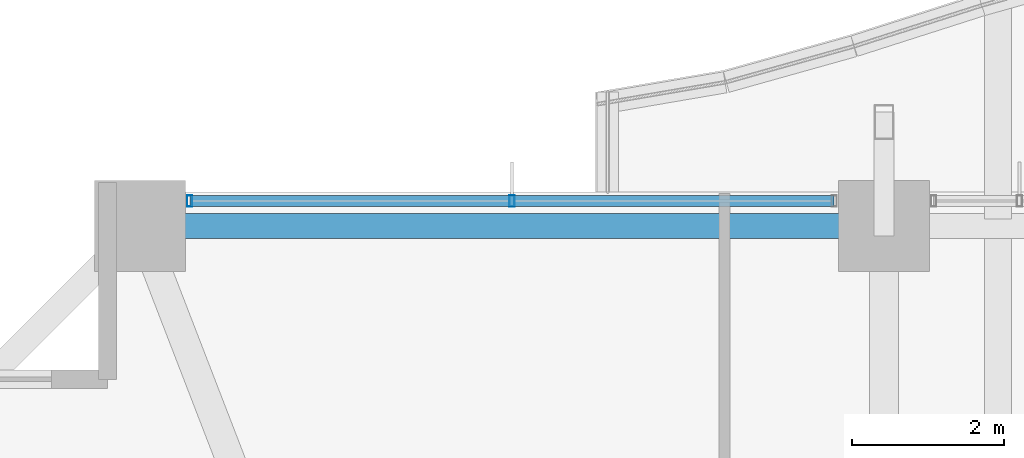
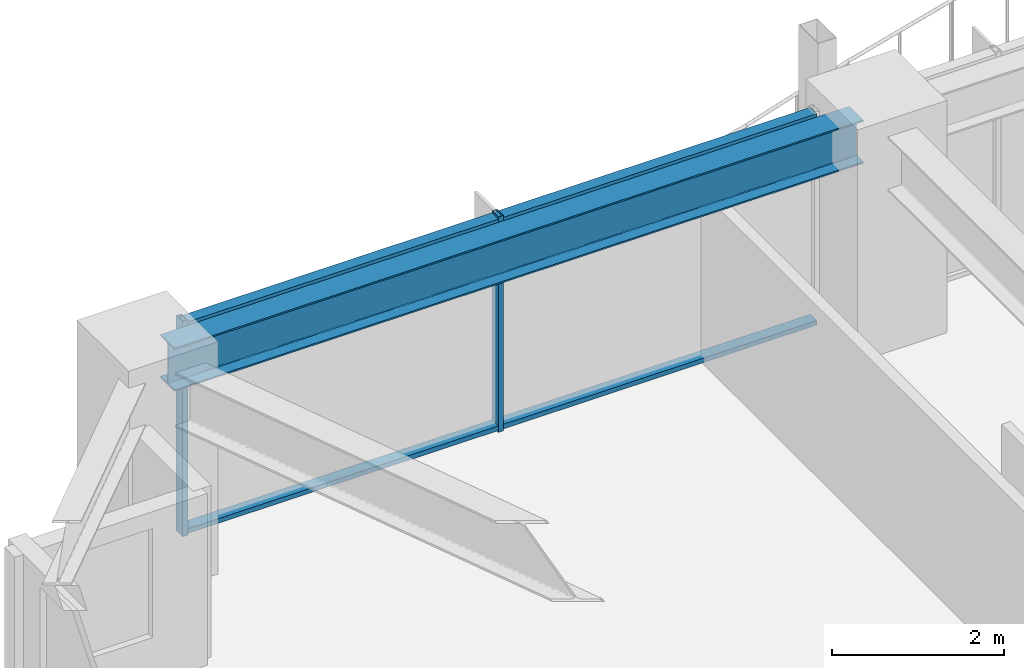
# One storey, part 18 of 38: 4 members, 1 beam, 1 element without a shape of its own.
"""IFC4 building model written with IfcOpenShell, lengths in metres."""

import ifcopenshell
import ifcopenshell.guid

model = None  # the IFC model being written
_history = None  # IfcOwnerHistory: only IFC2X3 demands one
_inside = {}  # id of a spatial element -> (the spatial element, [elements in it])
_under = {}  # id of a project, library or spatial element -> (it, [spatial elements below it])
_declared = {}  # id of a project -> (the project, [libraries it declares])
_typed = {}  # id of a type object -> (the type object, [elements of that type])
_made_of = {}  # id of a material, layer set ... -> (it, [elements and type objects made of it])


def new_model(schema):
    """Start an empty IFC model of exactly this schema.

    Asked for "IFC4X3", IfcOpenShell would pick the latest addendum, in which some entities
    have other attributes; the version numbers below select the first issue.
    IFC2X3 requires an IfcOwnerHistory on every rooted entity: one is made here for all.
    """
    global model, _history
    if schema == "IFC4X3":
        model = ifcopenshell.file(schema_version=(4, 3, 0, 0))
    else:
        model = ifcopenshell.file(schema=schema)
    _inside.clear()
    _under.clear()
    _declared.clear()
    _typed.clear()
    _made_of.clear()
    _history = None
    if model.schema == "IFC2X3":
        org = make("IfcOrganization", Name="unknown")
        user = make(
            "IfcPersonAndOrganization",
            ThePerson=make("IfcPerson", FamilyName="unknown"),
            TheOrganization=org,
        )
        app = make(
            "IfcApplication",
            ApplicationDeveloper=org,
            Version="unknown",
            ApplicationFullName="unknown",
            ApplicationIdentifier="unknown",
        )
        _history = make(
            "IfcOwnerHistory",
            OwningUser=user,
            OwningApplication=app,
            ChangeAction="ADDED",
            CreationDate=0,
        )
    return model


def make(cls, **values):
    """One entity of the class cls with the attributes given. An attribute that is None is left unset."""
    return model.create_entity(
        cls, **{name: value for name, value in values.items() if value is not None}
    )


def rooted(cls, **values):
    """An entity with a GlobalId (a new one), such as an element, a storey or a relation."""
    return make(cls, GlobalId=ifcopenshell.guid.new(), OwnerHistory=_history, **values)


def si_unit(unit_type, name, prefix=None):
    """IfcSIUnit, for example si_unit("LENGTHUNIT", "METRE", prefix="MILLI")."""
    return make("IfcSIUnit", UnitType=unit_type, Prefix=prefix, Name=name)


def assignment(units):
    """IfcUnitAssignment: the units of a project."""
    return None if units is None else make("IfcUnitAssignment", Units=units)


def point(xyz):
    """IfcCartesianPoint."""
    return None if xyz is None else make("IfcCartesianPoint", Coordinates=xyz)


def direction(xyz):
    """IfcDirection."""
    return None if xyz is None else make("IfcDirection", DirectionRatios=xyz)


def frame(location, z_axis=None, x_axis=None):
    """IfcAxis2Placement3D, a coordinate frame: its origin and axes. An axis left out is left unset."""
    return make(
        "IfcAxis2Placement3D",
        Location=point(location),
        Axis=direction(z_axis),
        RefDirection=direction(x_axis),
    )


def frame_2d(location, x_axis=None):
    """IfcAxis2Placement2D, a coordinate frame in the plane: its origin and x axis."""
    return make(
        "IfcAxis2Placement2D", Location=point(location), RefDirection=direction(x_axis)
    )


def origin():
    """The frame at (0, 0, 0) with its axes left unset."""
    return frame((0.0, 0.0, 0.0))


def origin_2d():
    """The frame at (0, 0) in the plane with its x axis left unset."""
    return frame_2d((0.0, 0.0))


def place(relative_to, where):
    """IfcLocalPlacement: puts the frame where relative to a parent placement (None: the world)."""
    return make(
        "IfcLocalPlacement", PlacementRelTo=relative_to, RelativePlacement=where
    )


def context(
    kind, dimensions, precision=None, world=None, true_north=None, identifier=None
):
    """IfcGeometricRepresentationContext, for example the 3D "Model" context."""
    return make(
        "IfcGeometricRepresentationContext",
        ContextIdentifier=identifier,
        ContextType=kind,
        CoordinateSpaceDimension=dimensions,
        Precision=precision,
        WorldCoordinateSystem=world,
        TrueNorth=true_north,
    )


def subcontext(parent, identifier, kind, view, scale=None):
    """IfcGeometricRepresentationSubContext, for example "Body" below "Model"."""
    return make(
        "IfcGeometricRepresentationSubContext",
        ContextIdentifier=identifier,
        ContextType=kind,
        ParentContext=parent,
        TargetScale=scale,
        TargetView=view,
    )


def project(units=None, contexts=None):
    """IfcProject with its units and contexts."""
    return rooted(
        "IfcProject",
        Name="project",
        RepresentationContexts=contexts,
        UnitsInContext=assignment(units),
    )


def spatial(cls, under=None, at=None, **own):
    """A site, building, storey or space (cls), placed at a placement, below another one or the project."""
    s = rooted(cls, ObjectPlacement=at, **own)
    if under is not None:
        _under.setdefault(under.id(), (under, []))[1].append(s)
    return s


def profile(cls, at=None, kind="AREA", **sizes):
    """A parametric profile (cls). Its sizes go by their IFC names, for example OverallWidth=200.0."""
    return make(cls, ProfileType=kind, Position=at, **sizes)


def hollow_rectangle(**sizes):
    """IfcRectangleHollowProfileDef."""
    return profile("IfcRectangleHollowProfileDef", **sizes)


def i_section(**sizes):
    """IfcIShapeProfileDef."""
    return profile("IfcIShapeProfileDef", **sizes)


def extrude(swept, where, along, depth):
    """IfcExtrudedAreaSolid: the profile swept, set in the frame where, extruded along a direction by depth."""
    return make(
        "IfcExtrudedAreaSolid",
        SweptArea=swept,
        Position=where,
        ExtrudedDirection=direction(along),
        Depth=depth,
    )


def shape(context_of_items, identifier, shape_type, items):
    """IfcShapeRepresentation: the items that make up one representation, for example the "Body"."""
    return make(
        "IfcShapeRepresentation",
        ContextOfItems=context_of_items,
        RepresentationIdentifier=identifier,
        RepresentationType=shape_type,
        Items=items,
    )


def material(Name=None, Category=None):
    """IfcMaterial."""
    return make("IfcMaterial", Name=Name, Category=Category)


def material_profile(
    of_material, cross_section, Name=None, Category=None, Priority=None
):
    """IfcMaterialProfile: a cross section and its material."""
    return make(
        "IfcMaterialProfile",
        Name=Name,
        Material=of_material,
        Profile=cross_section,
        Priority=Priority,
        Category=Category,
    )


def profile_set(profiles, Name=None, composite=None):
    """IfcMaterialProfileSet."""
    return make(
        "IfcMaterialProfileSet",
        Name=Name,
        MaterialProfiles=profiles,
        CompositeProfile=composite,
    )


def made_of(thing, what):
    """Note that an element or type object is made of a material, layer set ...; save() writes the relation."""
    if what is not None:
        _made_of.setdefault(what.id(), (what, []))[1].append(thing)
    return thing


def type_object(cls, material=None, **own):
    """A type object (cls), such as IfcWallType, which elements share."""
    return made_of(rooted(cls, **own), material)


def element(
    cls,
    number,
    at=None,
    inside=None,
    cuts=None,
    type_object=None,
    material=None,
    context=None,
    identifier="Body",
    shape_type=None,
    held_by="IfcProductDefinitionShape",
    body=None,
    shapes=None,
    **own,
):
    """One element of the class cls, such as IfcWall. Its Tag is "e" and its number.

    at: its placement. inside: the storey or other place that contains it. cuts: it is an
    opening in that element (IfcRelVoidsElement). A single representation is given by context,
    identifier, shape_type and body (its items); several are given by shapes. held_by: the class
    of the entity that holds the representations. save() writes the other relations.
    """
    e = rooted(cls, Tag="e%d" % number, ObjectPlacement=at, **own)
    if body is not None:
        shapes = [shape(context, identifier, shape_type, body)]
    if shapes is not None:
        e.Representation = make(held_by, Representations=shapes)
    if inside is not None:
        _inside.setdefault(inside.id(), (inside, []))[1].append(e)
    if cuts is not None:
        rooted(
            "IfcRelVoidsElement", RelatingBuildingElement=cuts, RelatedOpeningElement=e
        )
    if type_object is not None:
        _typed.setdefault(type_object.id(), (type_object, []))[1].append(e)
    return made_of(e, material)


def aggregate(whole, parts):
    """IfcRelAggregates: a whole, such as a stair, and the parts it consists of."""
    return rooted("IfcRelAggregates", RelatingObject=whole, RelatedObjects=parts)


def save(model, path):
    """Write the relations noted so far, then the file.

    IfcRelAggregates (storeys below a building ...), IfcRelContainedInSpatialStructure (elements
    in a storey), IfcRelDefinesByType, IfcRelAssociatesMaterial and IfcRelDeclares: one each for
    every whole, place, type object, material and project.
    """
    for whole, parts in _under.values():
        aggregate(whole, parts)
    for where, things in _inside.values():
        rooted(
            "IfcRelContainedInSpatialStructure",
            RelatedElements=things,
            RelatingStructure=where,
        )
    for kind, things in _typed.values():
        rooted("IfcRelDefinesByType", RelatedObjects=things, RelatingType=kind)
    for what, things in _made_of.values():
        rooted("IfcRelAssociatesMaterial", RelatedObjects=things, RelatingMaterial=what)
    for by, libraries in _declared.values():
        rooted("IfcRelDeclares", RelatingContext=by, RelatedDefinitions=libraries)
    model.write(path)


model = new_model("IFC4")

# Units and contexts
model_context = context("Model", 3, precision=1e-05, world=origin(), true_north=direction((0.0, 1.0)))
body_context = subcontext(model_context, "Body", "Model", "MODEL_VIEW")
ifc_project = project(units=[si_unit("LENGTHUNIT", "METRE"), si_unit("AREAUNIT", "SQUARE_METRE"), si_unit("VOLUMEUNIT", "CUBIC_METRE"), si_unit("PLANEANGLEUNIT", "RADIAN"), si_unit("MASSUNIT", "GRAM", prefix="KILO")], contexts=[model_context])

# Site, building, storey
site_placement = place(None, origin())
site = spatial("IfcSite", under=ifc_project, at=site_placement, CompositionType="ELEMENT")
building_placement = place(site_placement, origin())
building = spatial("IfcBuilding", under=site, at=building_placement, Name="Kolvaren Belvedere", CompositionType="ELEMENT")
storey_placement = place(building_placement, frame((0.0, 0.0, 50.199951171875)))
storey = spatial("IfcBuildingStorey", under=building, at=storey_placement, Name="L14", CompositionType="ELEMENT", Elevation=50.199951171875)

# Beam
ifc_material_1 = material(Name="Structural steel ASTM A992 Grade 50", Category="steel")
ifc_material_profile_1 = material_profile(ifc_material_1, i_section(OverallWidth=0.324951171875, OverallDepth=0.615966796875, WebThickness=0.013916015625, FlangeThickness=0.021484375, FilletRadius=0.02001953125, at=origin_2d()), Name="W24X117")
ifc_profile_set_1 = profile_set([ifc_material_profile_1], Name="Structural steel ASTM A992 Grade 50")
beam_type = type_object("IfcBeamType", Name="BM-SPAN-W24X117", PredefinedType="SPANDREL", material=ifc_profile_set_1)
beam_placement = place(storey_placement, frame((-4.8701171875, 21.550048828125, 2.751953125), z_axis=(-1.0, 0.0, 0.0), x_axis=(0.0, -1.0, 0.0)))
element("IfcBeam", 1, at=beam_placement, inside=storey, type_object=beam_type, Name="L14 Perimeter Spandrel N2-N1", PredefinedType="SPANDREL", context=body_context, shape_type="SweptSolid", body=[
    extrude(i_section(OverallWidth=0.324951171875, OverallDepth=0.615966796875, WebThickness=0.013916015625, FlangeThickness=0.021484375, FilletRadius=0.02001953125, at=origin_2d()), origin(), (0.0, 0.0, 1.0), 9.259765625),
])

# Curtain wall, members
ifc_material_2 = material(Name="Anodised pale-metal aluminium AA 6063-T6", Category="aluminium")
curtain_wall_type = type_object("IfcCurtainWallType", Name="CW-Z1-LOW", PredefinedType="NOTDEFINED", material=ifc_material_2)
curtain_wall_placement = place(storey_placement, origin())
curtain_wall = element("IfcCurtainWall", 2, at=curtain_wall_placement, inside=storey, type_object=curtain_wall_type, Name="L14 Unitised Curtain Wall FCW-L14-N1-B1", PredefinedType="NOTDEFINED")
ifc_material_3 = material(Name="Anodised pale-metal aluminium AA 6063-T6", Category="aluminium")
ifc_material_profile_2 = material_profile(ifc_material_3, hollow_rectangle(XDim=0.070068359375, YDim=0.14990234375, WallThickness=0.004150390625, at=origin_2d()), Name="ALU-MUL-150X70")
ifc_profile_set_2 = profile_set([ifc_material_profile_2], Name="Anodised pale-metal aluminium AA 6063-T6")
member_type_1 = type_object("IfcMemberType", Name="CW-MUL-150", PredefinedType="MULLION", material=ifc_profile_set_2)
member_1_placement = place(storey_placement, frame((-13.7451171875, 21.8798828125, 0.0), z_axis=(0.0, 0.0, 1.0), x_axis=(1.0, 0.0, 0.0)))
member_1 = element("IfcMember", 3, at=member_1_placement, type_object=member_type_1, Name="FCW-L14-N1-B1 Unitised Mullion 1", PredefinedType="MULLION", context=body_context, shape_type="SweptSolid", body=[
    extrude(hollow_rectangle(XDim=0.070068359375, YDim=0.14990234375, WallThickness=0.004150390625, at=origin_2d()), origin(), (0.0, 0.0, 1.0), 3.06005859375),
])
member_2_placement = place(storey_placement, frame((-9.5, 21.8798828125, 0.0), z_axis=(0.0, 0.0, 1.0), x_axis=(1.0, 0.0, 0.0)))
member_2 = element("IfcMember", 4, at=member_2_placement, type_object=member_type_1, Name="FCW-L14-N1-B1 Unitised Mullion 2", PredefinedType="MULLION", context=body_context, shape_type="SweptSolid", body=[
    extrude(hollow_rectangle(XDim=0.070068359375, YDim=0.14990234375, WallThickness=0.004150390625, at=origin_2d()), origin(), (0.0, 0.0, 1.0), 3.06005859375),
])
ifc_material_4 = material(Name="Anodised pale-metal aluminium AA 6063-T6", Category="aluminium")
ifc_material_profile_3 = material_profile(ifc_material_4, hollow_rectangle(XDim=0.06494140625, YDim=0.14990234375, WallThickness=0.00390625, at=origin_2d()), Name="ALU-TRN-150X65")
ifc_profile_set_3 = profile_set([ifc_material_profile_3], Name="Anodised pale-metal aluminium AA 6063-T6")
member_type_2 = type_object("IfcMemberType", Name="CW-TRN-150", PredefinedType="USERDEFINED", material=ifc_profile_set_3)
member_3_placement = place(storey_placement, frame((-13.7451171875, 21.8798828125, 0.06005859375), z_axis=(1.0, 0.0, 0.0), x_axis=(0.0, 0.0, 1.0)))
member_3 = element("IfcMember", 5, at=member_3_placement, type_object=member_type_2, Name="FCW-L14-N1-B1 Sill Transom", ObjectType="TRANSOM", PredefinedType="USERDEFINED", context=body_context, shape_type="SweptSolid", body=[
    extrude(hollow_rectangle(XDim=0.06494140625, YDim=0.14990234375, WallThickness=0.00390625, at=origin_2d()), origin(), (0.0, 0.0, 1.0), 8.490234375),
])
member_4_placement = place(storey_placement, frame((-13.7451171875, 21.8798828125, 3.0), z_axis=(1.0, 0.0, 0.0), x_axis=(0.0, 0.0, 1.0)))
member_4 = element("IfcMember", 6, at=member_4_placement, type_object=member_type_2, Name="FCW-L14-N1-B1 Head Transom", ObjectType="TRANSOM", PredefinedType="USERDEFINED", context=body_context, shape_type="SweptSolid", body=[
    extrude(hollow_rectangle(XDim=0.06494140625, YDim=0.14990234375, WallThickness=0.00390625, at=origin_2d()), origin(), (0.0, 0.0, 1.0), 8.490234375),
])
aggregate(curtain_wall, [member_1, member_2, member_3, member_4])

save(model, "model.ifc")
